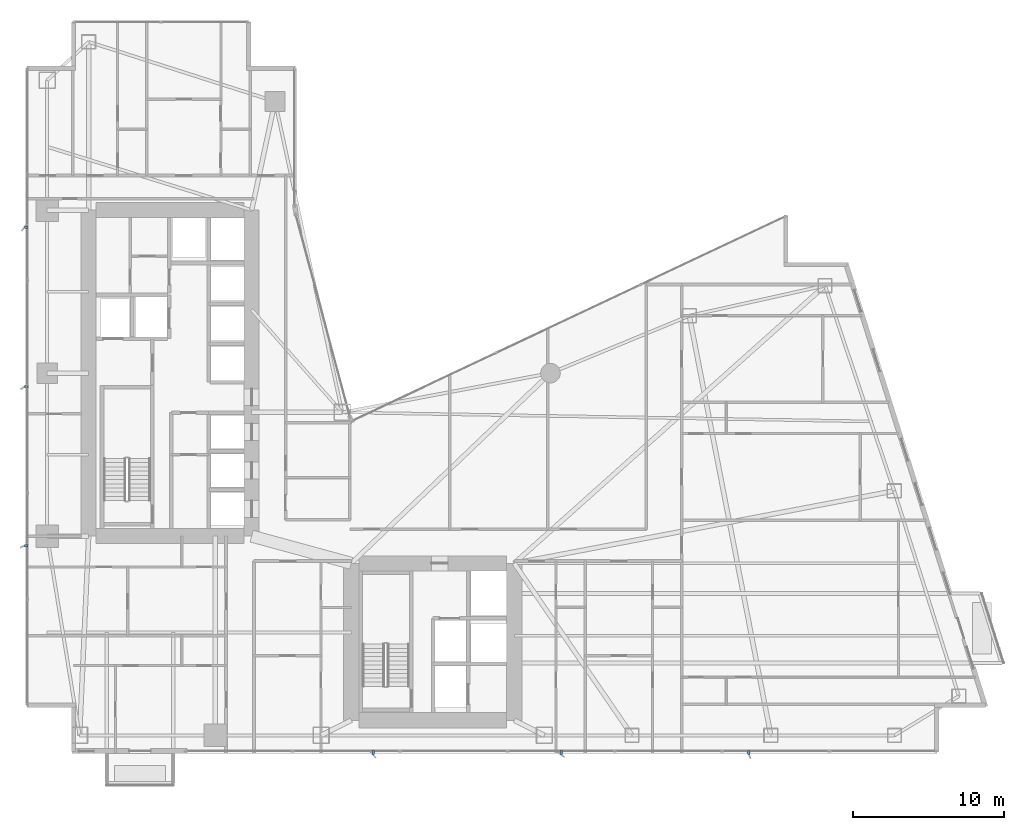
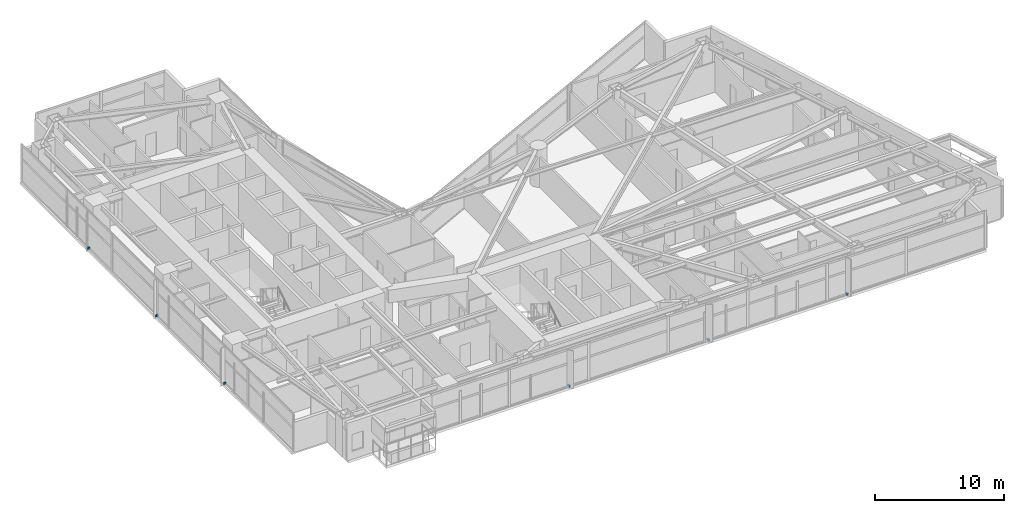
# One storey, part 27 of 30: 6 discrete accessories.
"""IFC4 building model written with IfcOpenShell, lengths in metres."""

from ifc_helpers import new_model, si_unit, direction, frame, origin, origin_2d, place, context, subcontext, project, spatial, rectangle, extrude, material, type_object, element, save


model = new_model("IFC4")

# Units and contexts
model_context = context("Model", 3, precision=1e-05, world=origin(), true_north=direction((0.0, 1.0)))
body_context = subcontext(model_context, "Body", "Model", "MODEL_VIEW")
ifc_project = project(units=[si_unit("LENGTHUNIT", "METRE"), si_unit("AREAUNIT", "SQUARE_METRE"), si_unit("VOLUMEUNIT", "CUBIC_METRE"), si_unit("PLANEANGLEUNIT", "RADIAN"), si_unit("MASSUNIT", "GRAM", prefix="KILO")], contexts=[model_context])

# Site, building, storey
site_placement = place(None, origin())
site = spatial("IfcSite", under=ifc_project, at=site_placement, CompositionType="ELEMENT")
building_placement = place(site_placement, origin())
building = spatial("IfcBuilding", under=site, at=building_placement, Name="Calvorn Quay Hotel", CompositionType="ELEMENT")
storey_placement = place(building_placement, frame((0.0, 0.0, 73.60009765625)))
storey = spatial("IfcBuildingStorey", under=building, at=storey_placement, Name="L17", CompositionType="ELEMENT", Elevation=73.60009765625)

# Discrete accessories
ifc_material = material(Name="Steel Q355B", Category="steel")
discrete_accessory_type = type_object("IfcDiscreteAccessoryType", Name="ACC-FIN-BRACKET", PredefinedType="BRACKET", material=ifc_material)
for number, where, z_axis, x_axis, name in (
    (1, (0.06005859375, 16.14990234375, 0.02978515625), (0.0, 0.0, 1.0), (1.0, 0.0, 0.0), "Fin Anchor Bracket L17-W01"),
    (2, (0.06005859375, 26.699951171875, 0.02978515625), (0.0, 0.0, 1.0), (1.0, 0.0, 0.0), "Fin Anchor Bracket L17-W02"),
    (3, (0.06005859375, 37.25, 0.02978515625), (0.0, 0.0, 1.0), (1.0, 0.0, 0.0), "Fin Anchor Bracket L17-W03"),
    (4, (23.050048828125, 2.4599609375, 0.02978515625), (0.0, 0.0, 1.0), (0.0, 1.0, 0.0), "Fin Anchor Bracket L17-S01"),
    (5, (35.5, 2.4599609375, 0.02978515625), (0.0, 0.0, 1.0), (0.0, 1.0, 0.0), "Fin Anchor Bracket L17-S02"),
    (6, (47.949951171875, 2.4599609375, 0.02978515625), (0.0, 0.0, 1.0), (0.0, 1.0, 0.0), "Fin Anchor Bracket L17-S03"),
):
    element("IfcDiscreteAccessory", number, at=place(storey_placement, frame(where, z_axis=z_axis, x_axis=x_axis)), inside=storey, type_object=discrete_accessory_type, Name=name, PredefinedType="BRACKET", context=body_context, shape_type="SweptSolid", body=[
        extrude(rectangle(XDim=0.239990234375, YDim=0.159912109375, at=origin_2d()), origin(), (0.0, 0.0, 1.0), 0.179931640625),
    ])

save(model, "model.ifc")
